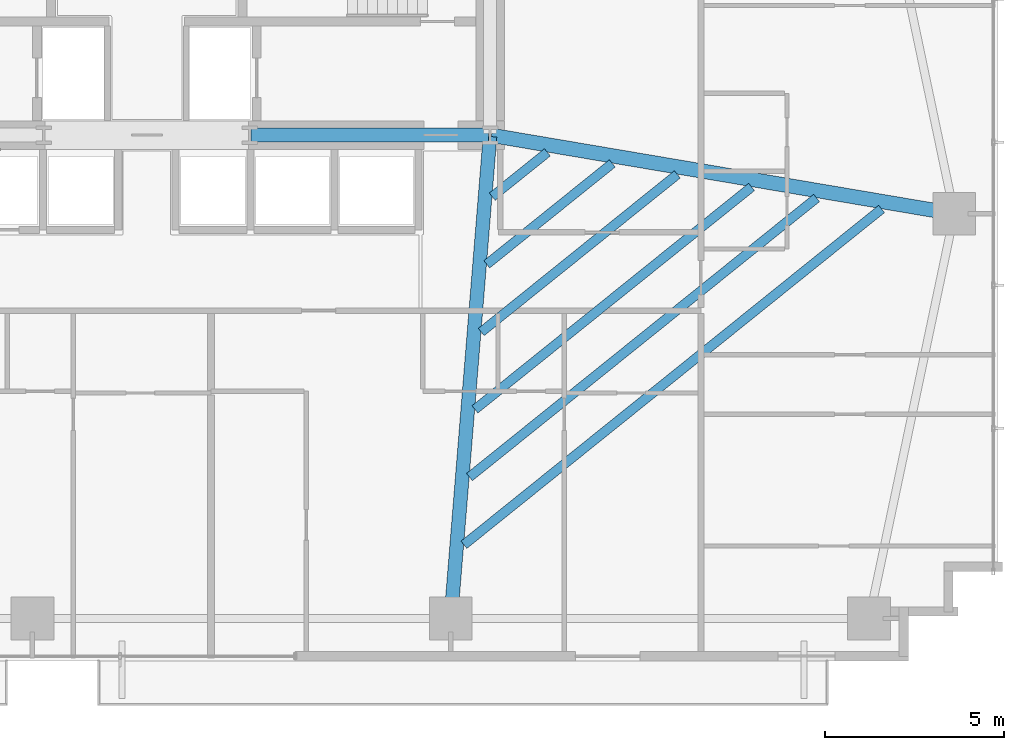
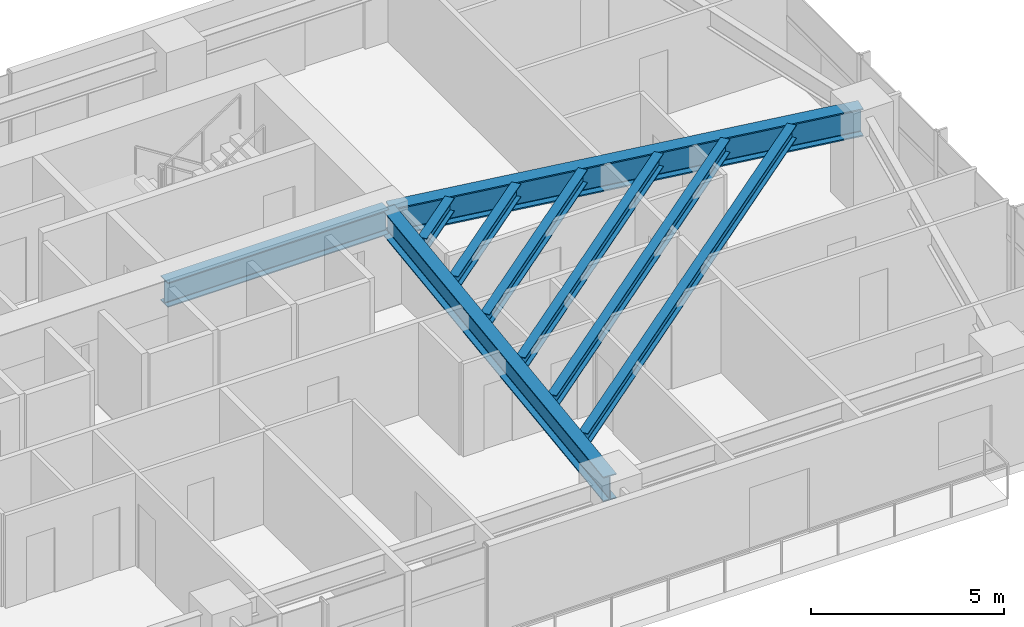
# One storey, part 13 of 25: 9 beams.
"""IFC4 building model written with IfcOpenShell, lengths in metres."""

from ifc_helpers import new_model, si_unit, direction, frame, origin, origin_2d, place, context, subcontext, project, spatial, i_section, extrude, source, transform, mapped, material, material_profile, profile_set, type_object, type_shapes, element, save


model = new_model("IFC4")

# Units and contexts
model_context = context("Model", 3, precision=1e-05, world=origin(), true_north=direction((0.0, 1.0)))
body_context = subcontext(model_context, "Body", "Model", "MODEL_VIEW")
ifc_project = project(units=[si_unit("LENGTHUNIT", "METRE"), si_unit("AREAUNIT", "SQUARE_METRE"), si_unit("VOLUMEUNIT", "CUBIC_METRE"), si_unit("PLANEANGLEUNIT", "RADIAN"), si_unit("MASSUNIT", "GRAM", prefix="KILO")], contexts=[model_context])

# Site, building, storey
site_placement = place(None, origin())
site = spatial("IfcSite", under=ifc_project, at=site_placement, CompositionType="ELEMENT")
building_placement = place(site_placement, origin())
building = spatial("IfcBuilding", under=site, at=building_placement, Name="Astriad Promenade Condominiums", CompositionType="ELEMENT")
storey_placement = place(building_placement, frame((0.0, 0.0, 32.60009765625)))
storey = spatial("IfcBuildingStorey", under=building, at=storey_placement, Name="L08", CompositionType="ELEMENT", Elevation=32.60009765625)

# Beams
ifc_material = material(Name="Steel ASTM A992 Grade 50", Category="steel")
ifc_material_profile_1 = material_profile(ifc_material, i_section(OverallWidth=0.3837890625, OverallDepth=0.785888671875, WebThickness=0.019775390625, FlangeThickness=0.033447265625, FilletRadius=0.021484375, at=origin_2d()), Name="W30X211")
ifc_profile_set_1 = profile_set([ifc_material_profile_1], Name="Steel ASTM A992 Grade 50")
beam_type_1 = type_object("IfcBeamType", Name="STEEL FLOOR GIRDER W30X211", PredefinedType="BEAM", material=ifc_profile_set_1)
shared_shape_1 = source(origin(), body_context, "Body", "SweptSolid", [
    extrude(i_section(OverallWidth=0.3837890625, OverallDepth=0.785888671875, WebThickness=0.019775390625, FlangeThickness=0.033447265625, FilletRadius=0.021484375, at=origin_2d()), origin(), (0.0, 0.0, 1.0), 6.64013671875),
])
beam_1_placement = place(storey_placement, frame((38.919921875, 17.39990234375, 2.547119140625), z_axis=(1.0, 0.0, 0.0), x_axis=(0.0, 1.0, 0.0)))
element("IfcBeam", 1, at=beam_1_placement, inside=storey, type_object=beam_type_1, Name="Core Ring Beam CG-S3-L08", PredefinedType="BEAM", context=body_context, shape_type="MappedRepresentation", body=[
    mapped(shared_shape_1, transform((0.0, 0.0, 0.0), scale=1.0)),
])
shared_shape_2 = source(origin(), body_context, "Body", "SweptSolid", [
    extrude(i_section(OverallWidth=0.3837890625, OverallDepth=0.785888671875, WebThickness=0.019775390625, FlangeThickness=0.033447265625, FilletRadius=0.021484375, at=origin_2d()), origin(), (0.0, 0.0, 1.0), 13.484619140625),
])
type_shapes(beam_type_1, [shared_shape_1, shared_shape_2])
beam_2_placement = place(storey_placement, frame((44.503173828125, 3.919921875, 2.547119140625), z_axis=(0.081092961134, 0.996706542396, 0.0), x_axis=(-0.996706542396, 0.081092961134, 0.0)))
element("IfcBeam", 2, at=beam_2_placement, inside=storey, type_object=beam_type_1, Name="Primary Floor Girder PG-E2-L08", PredefinedType="BEAM", context=body_context, shape_type="MappedRepresentation", body=[
    mapped(shared_shape_2, transform((0.0, 0.0, 0.0), scale=1.0)),
])
ifc_material_profile_2 = material_profile(ifc_material, i_section(OverallWidth=0.4013671875, OverallDepth=0.877197265625, WebThickness=0.022216796875, FlangeThickness=0.039794921875, FilletRadius=0.02294921875, at=origin_2d()), Name="W33X263")
ifc_profile_set_2 = profile_set([ifc_material_profile_2], Name="Steel ASTM A992 Grade 50")
beam_type_2 = type_object("IfcBeamType", Name="STEEL PRIMARY GIRDER W33X263", PredefinedType="BEAM", material=ifc_profile_set_2)
shared_shape_3 = source(origin(), body_context, "Body", "SweptSolid", [
    extrude(i_section(OverallWidth=0.4013671875, OverallDepth=0.877197265625, WebThickness=0.022216796875, FlangeThickness=0.039794921875, FilletRadius=0.02294921875, at=origin_2d()), origin(), (0.0, 0.0, 1.0), 13.085205078125),
])
type_shapes(beam_type_2, [shared_shape_3])
beam_3_placement = place(storey_placement, frame((58.54052734375, 15.206787109375, 2.501220703125), z_axis=(-0.985939912267, 0.167100237577, 0.0), x_axis=(-0.167100237577, -0.985939912267, 0.0)))
element("IfcBeam", 3, at=beam_3_placement, inside=storey, type_object=beam_type_2, Name="Primary Floor Girder PG-EM-L08", PredefinedType="BEAM", context=body_context, shape_type="MappedRepresentation", body=[
    mapped(shared_shape_3, transform((0.0, 0.0, 0.0), scale=1.0)),
])
ifc_material_profile_3 = material_profile(ifc_material, i_section(OverallWidth=0.26318359375, OverallDepth=0.425537109375, WebThickness=0.01318359375, FlangeThickness=0.022216796875, FilletRadius=0.013916015625, at=origin_2d()), Name="W16X89")
ifc_profile_set_3 = profile_set([ifc_material_profile_3], Name="Steel ASTM A992 Grade 50")
beam_type_3 = type_object("IfcBeamType", Name="STEEL FLOOR JOIST W16X89", PredefinedType="JOIST", material=ifc_profile_set_3)
shared_shape_4 = source(origin(), body_context, "Body", "SweptSolid", [
    extrude(i_section(OverallWidth=0.26318359375, OverallDepth=0.425537109375, WebThickness=0.01318359375, FlangeThickness=0.022216796875, FilletRadius=0.013916015625, at=origin_2d()), origin(), (0.0, 0.0, 1.0), 14.984375),
])
beam_4_placement = place(storey_placement, frame((44.867919921875, 5.944580078125, 2.72705078125), z_axis=(0.77934368876, 0.626596692291, 0.0), x_axis=(-0.626596692291, 0.77934368876, 0.0)))
element("IfcBeam", 4, at=beam_4_placement, inside=storey, type_object=beam_type_3, Name="Secondary Composite Floor Joist JE1-1-L08", PredefinedType="JOIST", context=body_context, shape_type="MappedRepresentation", body=[
    mapped(shared_shape_4, transform((0.0, 0.0, 0.0), scale=1.0)),
])
shared_shape_5 = source(origin(), body_context, "Body", "SweptSolid", [
    extrude(i_section(OverallWidth=0.26318359375, OverallDepth=0.425537109375, WebThickness=0.01318359375, FlangeThickness=0.022216796875, FilletRadius=0.013916015625, at=origin_2d()), origin(), (0.0, 0.0, 1.0), 12.455078125),
])
beam_5_placement = place(storey_placement, frame((45.021728515625, 7.83740234375, 2.72705078125), z_axis=(0.77935577594, 0.626581658292, 0.0), x_axis=(-0.626581658292, 0.77935577594, 0.0)))
element("IfcBeam", 5, at=beam_5_placement, inside=storey, type_object=beam_type_3, Name="Secondary Composite Floor Joist JE1-2-L08", PredefinedType="JOIST", context=body_context, shape_type="MappedRepresentation", body=[
    mapped(shared_shape_5, transform((0.0, 0.0, 0.0), scale=1.0)),
])
shared_shape_6 = source(origin(), body_context, "Body", "SweptSolid", [
    extrude(i_section(OverallWidth=0.26318359375, OverallDepth=0.425537109375, WebThickness=0.01318359375, FlangeThickness=0.022216796875, FilletRadius=0.013916015625, at=origin_2d()), origin(), (0.0, 0.0, 1.0), 9.926025390625),
])
beam_6_placement = place(storey_placement, frame((45.17578125, 9.730224609375, 2.72705078125), z_axis=(0.779352355084, 0.626585913203, 0.0), x_axis=(-0.626585913203, 0.779352355084, 0.0)))
element("IfcBeam", 6, at=beam_6_placement, inside=storey, type_object=beam_type_3, Name="Secondary Composite Floor Joist JE1-3-L08", PredefinedType="JOIST", context=body_context, shape_type="MappedRepresentation", body=[
    mapped(shared_shape_6, transform((0.0, 0.0, 0.0), scale=1.0)),
])
shared_shape_7 = source(origin(), body_context, "Body", "SweptSolid", [
    extrude(i_section(OverallWidth=0.26318359375, OverallDepth=0.425537109375, WebThickness=0.01318359375, FlangeThickness=0.022216796875, FilletRadius=0.013916015625, at=origin_2d()), origin(), (0.0, 0.0, 1.0), 7.03515625),
])
beam_7_placement = place(storey_placement, frame((45.351806640625, 11.8935546875, 2.72705078125), z_axis=(0.779349752639, 0.626589150131, 0.0), x_axis=(-0.626589150131, 0.779349752639, 0.0)))
element("IfcBeam", 7, at=beam_7_placement, inside=storey, type_object=beam_type_3, Name="Secondary Composite Floor Joist JE1-4-L08", PredefinedType="JOIST", context=body_context, shape_type="MappedRepresentation", body=[
    mapped(shared_shape_7, transform((0.0, 0.0, 0.0), scale=1.0)),
])
shared_shape_8 = source(origin(), body_context, "Body", "SweptSolid", [
    extrude(i_section(OverallWidth=0.26318359375, OverallDepth=0.425537109375, WebThickness=0.01318359375, FlangeThickness=0.022216796875, FilletRadius=0.013916015625, at=origin_2d()), origin(), (0.0, 0.0, 1.0), 4.505859375),
])
beam_8_placement = place(storey_placement, frame((45.505859375, 13.786376953125, 2.72705078125), z_axis=(0.779365294733, 0.626569818429, 0.0), x_axis=(-0.626569818429, 0.779365294733, 0.0)))
element("IfcBeam", 8, at=beam_8_placement, inside=storey, type_object=beam_type_3, Name="Secondary Composite Floor Joist JE1-5-L08", PredefinedType="JOIST", context=body_context, shape_type="MappedRepresentation", body=[
    mapped(shared_shape_8, transform((0.0, 0.0, 0.0), scale=1.0)),
])
shared_shape_9 = source(origin(), body_context, "Body", "SweptSolid", [
    extrude(i_section(OverallWidth=0.26318359375, OverallDepth=0.425537109375, WebThickness=0.01318359375, FlangeThickness=0.022216796875, FilletRadius=0.013916015625, at=origin_2d()), origin(), (0.0, 0.0, 1.0), 1.9765625),
])
type_shapes(beam_type_3, [shared_shape_4, shared_shape_5, shared_shape_6, shared_shape_7, shared_shape_8, shared_shape_9])
beam_9_placement = place(storey_placement, frame((45.659912109375, 15.67919921875, 2.72705078125), z_axis=(0.77936029648, 0.626576035506, 0.0), x_axis=(-0.626576035506, 0.77936029648, 0.0)))
element("IfcBeam", 9, at=beam_9_placement, inside=storey, type_object=beam_type_3, Name="Secondary Composite Floor Joist JE1-6-L08", PredefinedType="JOIST", context=body_context, shape_type="MappedRepresentation", body=[
    mapped(shared_shape_9, transform((0.0, 0.0, 0.0), scale=1.0)),
])

save(model, "model.ifc")
